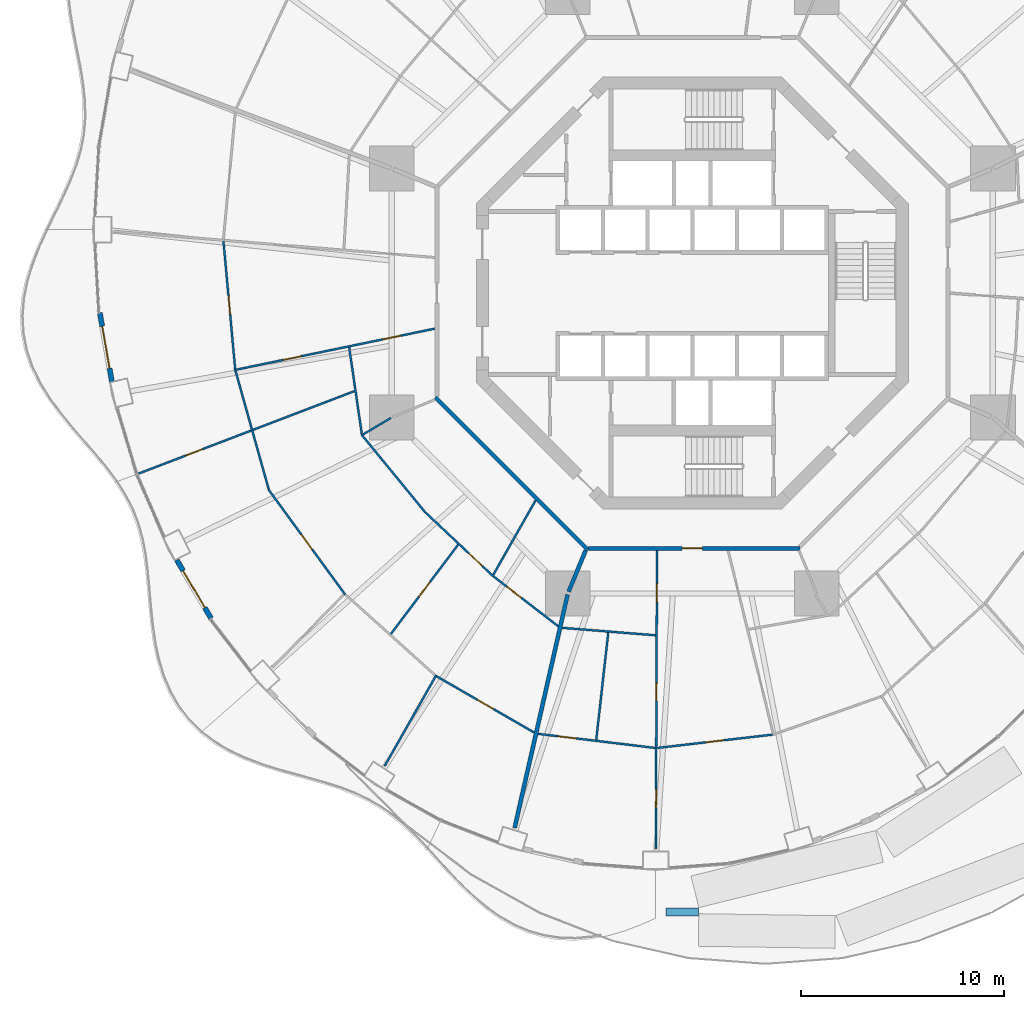
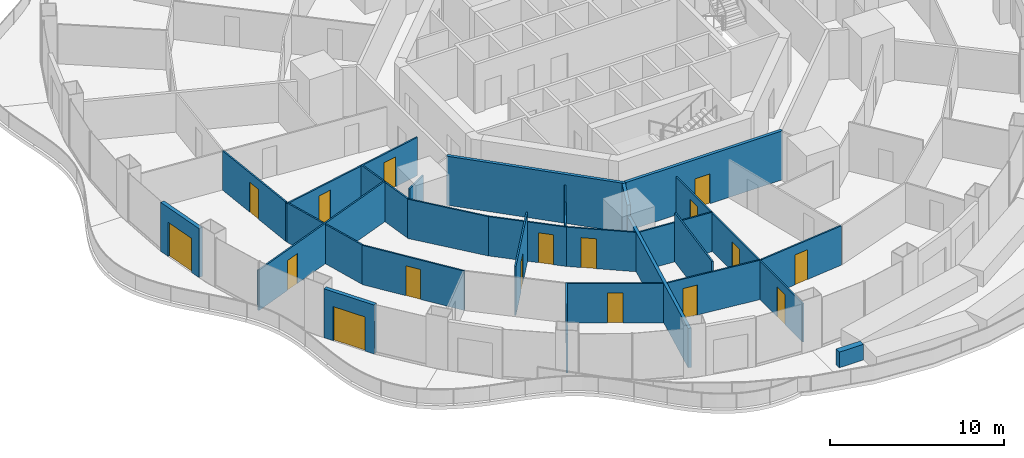
# One storey, part 14 of 22: 26 walls, 17 doors, 17 openings.
"""IFC4 building model written with IfcOpenShell, lengths in metres."""

from ifc_helpers import new_model, si_unit, direction, frame, frame_2d, origin, place, context, subcontext, project, spatial, rectangle, extrude, material, layer, layer_set, type_object, element, fill, save


model = new_model("IFC4")

# Units and contexts
model_context = context("Model", 3, precision=1e-05, world=origin(), true_north=direction((0.0, 1.0)))
body_context = subcontext(model_context, "Body", "Model", "MODEL_VIEW")
ifc_project = project(units=[si_unit("LENGTHUNIT", "METRE"), si_unit("AREAUNIT", "SQUARE_METRE"), si_unit("VOLUMEUNIT", "CUBIC_METRE"), si_unit("PLANEANGLEUNIT", "RADIAN"), si_unit("MASSUNIT", "GRAM", prefix="KILO")], contexts=[model_context])

# Site, building, storey
site_placement = place(None, origin())
site = spatial("IfcSite", under=ifc_project, at=site_placement, CompositionType="ELEMENT")
building_placement = place(site_placement, origin())
building = spatial("IfcBuilding", under=site, at=building_placement, Name="Nagisa Residences", CompositionType="ELEMENT")
storey_placement = place(building_placement, frame((0.0, 0.0, 73.300048828125)))
storey = spatial("IfcBuildingStorey", under=building, at=storey_placement, Name="L17", CompositionType="ELEMENT", Elevation=73.300048828125)

# Walls
ifc_material_1 = material(Name="Gypsum board on steel studs", Category="steel")
ifc_layer_1 = layer(ifc_material_1, 0.199951171875)
ifc_layer_set_1 = layer_set([ifc_layer_1], Name="Apartment compartment wall EI60 200")
wall_type_1 = type_object("IfcWallType", Name="Apartment compartment wall EI60 200", PredefinedType="PARTITIONING", material=ifc_layer_set_1)
wall_1_placement = place(storey_placement, frame((-5.24267578125, -12.6572265625, 0.0), z_axis=(0.0, 0.0, 1.0), x_axis=(-0.382668627144, -0.923885664896, 0.0)))
element("IfcWall", 1, at=wall_1_placement, inside=storey, type_object=wall_type_1, Name="wall:L17:u04", PredefinedType="PARTITIONING", context=body_context, shape_type="SweptSolid", body=[
    extrude(rectangle(XDim=2.200439453125, YDim=0.199951171875, at=frame_2d((1.10009765625, 0.0))), origin(), (0.0, 0.0, 1.0), 3.43994140625),
])
wall_2_placement = place(storey_placement, frame((-6.134033203125, -14.830810546875, 0.0), z_axis=(0.0, 0.0, 1.0), x_axis=(-0.221225405869, -0.975222702667, 0.0)))
element("IfcWall", 2, at=wall_2_placement, inside=storey, type_object=wall_type_1, Name="wall:L17:u05", PredefinedType="PARTITIONING", context=body_context, shape_type="SweptSolid", body=[
    extrude(rectangle(XDim=11.760986328125, YDim=0.199951171875, at=frame_2d((5.88037109375, 0.0))), origin(), (0.0, 0.0, 1.0), 2.761962890625),
])
ifc_material_2 = material(Name="Gypsum board on steel studs", Category="steel")
ifc_layer_2 = layer(ifc_material_2, 0.199951171875)
ifc_layer_set_2 = layer_set([ifc_layer_2], Name="Apartment entry wall EI60 200")
wall_type_2 = type_object("IfcWallType", Name="Apartment entry wall EI60 200", PredefinedType="PARTITIONING", material=ifc_layer_set_2)
wall_3_placement = place(storey_placement, frame((-12.635498046875, -5.1337890625, 0.0), z_axis=(0.0, 0.0, 1.0), x_axis=(0.707106781187, -0.707106781187, 0.0)))
element("IfcWall", 3, at=wall_3_placement, inside=storey, type_object=wall_type_2, Name="wall:L17:u13", PredefinedType="PARTITIONING", context=body_context, shape_type="SweptSolid", body=[
    extrude(rectangle(XDim=10.609130859375, YDim=0.199951171875, at=frame_2d((5.3046875, 0.0))), origin(), (0.0, 0.0, 1.0), 3.43994140625),
])

# Wall, opening, door
wall_4_placement = place(storey_placement, frame((-5.1044921875, -12.564697265625, 0.0), z_axis=(0.0, 0.0, 1.0), x_axis=(1.0, 0.0, 0.0)))
wall_4 = element("IfcWall", 4, at=wall_4_placement, inside=storey, type_object=wall_type_2, Name="wall:L17:u14", PredefinedType="PARTITIONING", context=body_context, shape_type="SweptSolid", body=[
    extrude(rectangle(XDim=10.408935546875, YDim=0.199951171875, at=frame_2d((5.20458984375, 0.0))), origin(), (0.0, 0.0, 1.0), 3.43994140625),
])
opening_1_placement = place(wall_4_placement, frame((4.6044921875, 0.0, 0.0)))
opening_1 = element("IfcOpeningElement", 5, at=opening_1_placement, cuts=wall_4, Name="Opening L17-U36", PredefinedType="OPENING", context=body_context, shape_type="SweptSolid", body=[
    extrude(rectangle(XDim=1.0, YDim=2.10009765625, at=frame_2d((0.5, 1.050048828125))), frame((0.0, 0.10986328125, 0.0), z_axis=(0.0, -1.0, 0.0), x_axis=(1.0, 0.0, 0.0)), (0.0, 0.0, 1.0), 0.219970703125),
])
ifc_material_3 = material(Name="Timber fire door set", Category="wood")
door_type_1 = type_object("IfcDoorType", Name="Apartment entry door FD30S 1000x2100", OperationType="NOTDEFINED", PredefinedType="DOOR", material=ifc_material_3)
door_1_placement = place(opening_1_placement, frame((1.0, 0.0, 0.0), x_axis=(-1.0, 0.0, 0.0)))
door_1 = element("IfcDoor", 6, at=door_1_placement, inside=storey, type_object=door_type_1, Name="Entry door, Apartment 17C", OperationType="SINGLE_SWING_LEFT", OverallHeight=2.10009765625, OverallWidth=1.0, PredefinedType="DOOR", context=body_context, shape_type="SweptSolid", body=[
    extrude(rectangle(XDim=1.0, YDim=2.10009765625, at=frame_2d((0.5, 1.050048828125))), frame((0.0, 0.02490234375, 0.0), z_axis=(0.0, -1.0, 0.0), x_axis=(1.0, 0.0, 0.0)), (0.0, 0.0, 1.0), 0.050048828125),
])
fill(opening_1, door_1)

ifc_material_4 = material(Name="Gypsum board on steel studs", Category="steel")
ifc_layer_3 = layer(ifc_material_4, 0.10009765625)
ifc_layer_set_3 = layer_set([ifc_layer_3], Name="Apartment partition 100")
wall_type_3 = type_object("IfcWallType", Name="Apartment partition 100", PredefinedType="PARTITIONING", material=ifc_layer_set_3)
wall_5_placement = place(storey_placement, frame((-23.056884765625, 2.54248046875, 0.0), z_axis=(0.0, 0.0, 1.0), x_axis=(0.091380945427, -0.995816008514, 0.0)))
wall_5 = element("IfcWall", 7, at=wall_5_placement, inside=storey, type_object=wall_type_3, Name="wall:L17:u56", PredefinedType="PARTITIONING", context=body_context, shape_type="SweptSolid", body=[
    extrude(rectangle(XDim=6.302490234375, YDim=0.10009765625, at=frame_2d((3.1513671875, 0.0))), origin(), (0.0, 0.0, 1.0), 2.761962890625),
])
opening_2_placement = place(wall_5_placement, frame((2.701171875, 0.0, 0.0)))
opening_2 = element("IfcOpeningElement", 8, at=opening_2_placement, cuts=wall_5, Name="Opening L17-U28", PredefinedType="OPENING", context=body_context, shape_type="SweptSolid", body=[
    extrude(rectangle(XDim=0.89990234375, YDim=2.10009765625, at=frame_2d((0.449951171875, 1.050048828125))), frame((0.0, 0.06005859375, 0.0), z_axis=(0.0, -1.0, 0.0), x_axis=(1.0, 0.0, 0.0)), (0.0, 0.0, 1.0), 0.1201171875),
])
ifc_material_5 = material(Name="Timber door set", Category="wood")
door_type_2 = type_object("IfcDoorType", Name="Apartment door 900x2100", OperationType="NOTDEFINED", PredefinedType="DOOR", material=ifc_material_5)
door_2_placement = place(opening_2_placement, frame((0.89990234375, 0.0, 0.0), x_axis=(-1.0, 0.0, 0.0)))
door_2 = element("IfcDoor", 9, at=door_2_placement, inside=storey, type_object=door_type_2, Name="Door to family room, Apartment 17B", OperationType="SINGLE_SWING_LEFT", OverallHeight=2.10009765625, OverallWidth=0.89990234375, PredefinedType="DOOR", context=body_context, shape_type="SweptSolid", body=[
    extrude(rectangle(XDim=0.89990234375, YDim=2.10009765625, at=frame_2d((0.449951171875, 1.050048828125))), frame((0.0, 0.02490234375, 0.0), z_axis=(0.0, -1.0, 0.0), x_axis=(1.0, 0.0, 0.0)), (0.0, 0.0, 1.0), 0.050048828125),
])
fill(opening_2, door_2)

# Wall, openings, doors
wall_6_placement = place(storey_placement, frame((-12.66259765625, -1.755126953125, 0.0), z_axis=(0.0, 0.0, 1.0), x_axis=(-0.979304677471, -0.202391572657, 0.0)))
wall_6 = element("IfcWall", 10, at=wall_6_placement, inside=storey, type_object=wall_type_3, Name="wall:L17:u57", PredefinedType="PARTITIONING", context=body_context, shape_type="SweptSolid", body=[
    extrude(rectangle(XDim=10.0712890625, YDim=0.10009765625, at=frame_2d((5.03564453125, 0.0))), origin(), (0.0, 0.0, 1.0), 2.68701171875),
])
opening_3_placement = place(wall_6_placement, frame((1.703857421875, 0.0, 0.0)))
opening_3 = element("IfcOpeningElement", 11, at=opening_3_placement, cuts=wall_6, Name="Opening L17-U24", PredefinedType="OPENING", context=body_context, shape_type="SweptSolid", body=[
    extrude(rectangle(XDim=0.89990234375, YDim=2.10009765625, at=frame_2d((0.449951171875, 1.050048828125))), frame((0.0, 0.06005859375, 0.0), z_axis=(0.0, -1.0, 0.0), x_axis=(1.0, 0.0, 0.0)), (0.0, 0.0, 1.0), 0.1201171875),
])
opening_4_placement = place(wall_6_placement, frame((6.71435546875, 0.0, 0.0)))
opening_4 = element("IfcOpeningElement", 12, at=opening_4_placement, cuts=wall_6, Name="Opening L17-U26", PredefinedType="OPENING", context=body_context, shape_type="SweptSolid", body=[
    extrude(rectangle(XDim=0.89990234375, YDim=2.10009765625, at=frame_2d((0.449951171875, 1.050048828125))), frame((0.0, 0.06005859375, 0.0), z_axis=(0.0, -1.0, 0.0), x_axis=(1.0, 0.0, 0.0)), (0.0, 0.0, 1.0), 0.1201171875),
])
door_3_placement = place(opening_3_placement, origin())
door_3 = element("IfcDoor", 13, at=door_3_placement, inside=storey, type_object=door_type_2, Name="Door to family bathroom, Apartment 17B", OperationType="SINGLE_SWING_RIGHT", OverallHeight=2.10009765625, OverallWidth=0.89990234375, PredefinedType="DOOR", context=body_context, shape_type="SweptSolid", body=[
    extrude(rectangle(XDim=0.89990234375, YDim=2.10009765625, at=frame_2d((0.449951171875, 1.050048828125))), frame((0.0, 0.02490234375, 0.0), z_axis=(0.0, -1.0, 0.0), x_axis=(1.0, 0.0, 0.0)), (0.0, 0.0, 1.0), 0.050048828125),
])
fill(opening_3, door_3)
door_4_placement = place(opening_4_placement, origin())
door_4 = element("IfcDoor", 14, at=door_4_placement, inside=storey, type_object=door_type_2, Name="Door to family bathroom, Apartment 17B", OperationType="SINGLE_SWING_RIGHT", OverallHeight=2.10009765625, OverallWidth=0.89990234375, PredefinedType="DOOR", context=body_context, shape_type="SweptSolid", body=[
    extrude(rectangle(XDim=0.89990234375, YDim=2.10009765625, at=frame_2d((0.449951171875, 1.050048828125))), frame((0.0, 0.02490234375, 0.0), z_axis=(0.0, -1.0, 0.0), x_axis=(1.0, 0.0, 0.0)), (0.0, 0.0, 1.0), 0.050048828125),
])
fill(opening_4, door_4)

# Walls
wall_7_placement = place(storey_placement, frame((-16.8740234375, -2.676513671875, 0.0), z_axis=(0.0, 0.0, 1.0), x_axis=(0.144260658133, -0.989539722555, 0.0)))
element("IfcWall", 15, at=wall_7_placement, inside=storey, type_object=wall_type_3, Name="wall:L17:u58", PredefinedType="PARTITIONING", context=body_context, shape_type="SweptSolid", body=[
    extrude(rectangle(XDim=4.308837890625, YDim=0.10009765625, at=frame_2d((2.154296875, 0.0))), origin(), (0.0, 0.0, 1.0), 2.761962890625),
])
wall_8_placement = place(storey_placement, frame((-22.462890625, -3.83154296875, 0.0), z_axis=(0.0, 0.0, 1.0), x_axis=(0.269797759333, -0.962917010473, 0.0)))
element("IfcWall", 16, at=wall_8_placement, inside=storey, type_object=wall_type_3, Name="wall:L17:u59", PredefinedType="PARTITIONING", context=body_context, shape_type="SweptSolid", body=[
    extrude(rectangle(XDim=6.04296875, YDim=0.10009765625, at=frame_2d((3.021484375, 0.0))), origin(), (0.0, 0.0, 1.0), 2.761962890625),
])

# Wall, opening, door
wall_9_placement = place(storey_placement, frame((-16.60986328125, -4.826171875, 0.0), z_axis=(0.0, 0.0, 1.0), x_axis=(-0.934174502909, -0.356816476798, 0.0)))
wall_9 = element("IfcWall", 17, at=wall_9_placement, inside=storey, type_object=wall_type_3, Name="wall:L17:u60", PredefinedType="PARTITIONING", context=body_context, shape_type="SweptSolid", body=[
    extrude(rectangle(XDim=11.496337890625, YDim=0.10009765625, at=frame_2d((5.748046875, 0.0))), origin(), (0.0, 0.0, 1.0), 2.8369140625),
])
opening_5_placement = place(wall_9_placement, frame((7.992919921875, 0.0, 0.0)))
opening_5 = element("IfcOpeningElement", 18, at=opening_5_placement, cuts=wall_9, Name="Opening L17-U29", PredefinedType="OPENING", context=body_context, shape_type="SweptSolid", body=[
    extrude(rectangle(XDim=0.89990234375, YDim=2.10009765625, at=frame_2d((0.449951171875, 1.050048828125))), frame((0.0, 0.06005859375, 0.0), z_axis=(0.0, -1.0, 0.0), x_axis=(1.0, 0.0, 0.0)), (0.0, 0.0, 1.0), 0.1201171875),
])
door_5_placement = place(opening_5_placement, origin())
door_5 = element("IfcDoor", 19, at=door_5_placement, inside=storey, type_object=door_type_2, Name="Door to dining room, Apartment 17B", OperationType="SINGLE_SWING_LEFT", OverallHeight=2.10009765625, OverallWidth=0.89990234375, PredefinedType="DOOR", context=body_context, shape_type="SweptSolid", body=[
    extrude(rectangle(XDim=0.89990234375, YDim=2.10009765625, at=frame_2d((0.449951171875, 1.050048828125))), frame((0.0, 0.02490234375, 0.0), z_axis=(0.0, -1.0, 0.0), x_axis=(1.0, 0.0, 0.0)), (0.0, 0.0, 1.0), 0.050048828125),
])
fill(opening_5, door_5)

# Walls
wall_10_placement = place(storey_placement, frame((-14.824951171875, -6.1484375, 0.0), z_axis=(0.0, 0.0, 1.0), x_axis=(-0.860452514841, -0.509530636669, 0.0)))
element("IfcWall", 20, at=wall_10_placement, inside=storey, type_object=wall_type_3, Name="wall:L17:u62", PredefinedType="PARTITIONING", context=body_context, shape_type="SweptSolid", body=[
    extrude(rectangle(XDim=1.600830078125, YDim=0.10009765625, at=frame_2d((0.80029296875, 0.0))), origin(), (0.0, 0.0, 1.0), 3.43994140625),
])
wall_11_placement = place(storey_placement, frame((-16.277099609375, -6.950927734375, 0.0), z_axis=(0.0, 0.0, 1.0), x_axis=(0.633427340372, -0.773802173988, 0.0)))
element("IfcWall", 21, at=wall_11_placement, inside=storey, type_object=wall_type_3, Name="wall:L17:u63", PredefinedType="PARTITIONING", context=body_context, shape_type="SweptSolid", body=[
    extrude(rectangle(XDim=4.979248046875, YDim=0.10009765625, at=frame_2d((2.48974609375, 0.0))), origin(), (0.0, 0.0, 1.0), 2.761962890625),
])

# Wall, opening, door
wall_12_placement = place(storey_placement, frame((-20.848388671875, -9.658203125, 0.0), z_axis=(0.0, 0.0, 1.0), x_axis=(0.5895799361, -0.807710033953, 0.0)))
wall_12 = element("IfcWall", 22, at=wall_12_placement, inside=storey, type_object=wall_type_3, Name="wall:L17:u64", PredefinedType="PARTITIONING", context=body_context, shape_type="SweptSolid", body=[
    extrude(rectangle(XDim=6.40771484375, YDim=0.10009765625, at=frame_2d((3.203857421875, 0.0))), origin(), (0.0, 0.0, 1.0), 2.761962890625),
])
opening_6_placement = place(wall_12_placement, frame((2.75390625, 0.0, 0.0)))
opening_6 = element("IfcOpeningElement", 23, at=opening_6_placement, cuts=wall_12, Name="Opening L17-U31", PredefinedType="OPENING", context=body_context, shape_type="SweptSolid", body=[
    extrude(rectangle(XDim=0.89990234375, YDim=2.10009765625, at=frame_2d((0.449951171875, 1.050048828125))), frame((0.0, 0.06005859375, 0.0), z_axis=(0.0, -1.0, 0.0), x_axis=(1.0, 0.0, 0.0)), (0.0, 0.0, 1.0), 0.1201171875),
])
door_6_placement = place(opening_6_placement, origin())
door_6 = element("IfcDoor", 24, at=door_6_placement, inside=storey, type_object=door_type_2, Name="Door to dining room, Apartment 17B", OperationType="SINGLE_SWING_LEFT", OverallHeight=2.10009765625, OverallWidth=0.89990234375, PredefinedType="DOOR", context=body_context, shape_type="SweptSolid", body=[
    extrude(rectangle(XDim=0.89990234375, YDim=2.10009765625, at=frame_2d((0.449951171875, 1.050048828125))), frame((0.0, 0.02490234375, 0.0), z_axis=(0.0, -1.0, 0.0), x_axis=(1.0, 0.0, 0.0)), (0.0, 0.0, 1.0), 0.050048828125),
])
fill(opening_6, door_6)

wall_13_placement = place(storey_placement, frame((-13.118408203125, -10.799560546875, 0.0), z_axis=(0.0, 0.0, 1.0), x_axis=(0.72818280142, -0.685382964273, 0.0)))
wall_13 = element("IfcWall", 25, at=wall_13_placement, inside=storey, type_object=wall_type_3, Name="wall:L17:u65", PredefinedType="PARTITIONING", context=body_context, shape_type="SweptSolid", body=[
    extrude(rectangle(XDim=4.586181640625, YDim=0.10009765625, at=frame_2d((2.29296875, 0.0))), origin(), (0.0, 0.0, 1.0), 2.761962890625),
])
opening_7_placement = place(wall_13_placement, frame((2.939697265625, 0.0, 0.0)))
opening_7 = element("IfcOpeningElement", 26, at=opening_7_placement, cuts=wall_13, Name="Opening L17-U34", PredefinedType="OPENING", context=body_context, shape_type="SweptSolid", body=[
    extrude(rectangle(XDim=0.89990234375, YDim=2.10009765625, at=frame_2d((0.449951171875, 1.050048828125))), frame((0.0, 0.06005859375, 0.0), z_axis=(0.0, -1.0, 0.0), x_axis=(1.0, 0.0, 0.0)), (0.0, 0.0, 1.0), 0.1201171875),
])
door_7_placement = place(opening_7_placement, origin())
door_7 = element("IfcDoor", 27, at=door_7_placement, inside=storey, type_object=door_type_2, Name="Door to store, Apartment 17B", OperationType="SINGLE_SWING_RIGHT", OverallHeight=2.10009765625, OverallWidth=0.89990234375, PredefinedType="DOOR", context=body_context, shape_type="SweptSolid", body=[
    extrude(rectangle(XDim=0.89990234375, YDim=2.10009765625, at=frame_2d((0.449951171875, 1.050048828125))), frame((0.0, 0.02490234375, 0.0), z_axis=(0.0, -1.0, 0.0), x_axis=(1.0, 0.0, 0.0)), (0.0, 0.0, 1.0), 0.050048828125),
])
fill(opening_7, door_7)

wall_14_placement = place(storey_placement, frame((-11.51513671875, -12.376953125, 0.0), z_axis=(0.0, 0.0, 1.0), x_axis=(-0.60163860397, -0.798768420891, 0.0)))
wall_14 = element("IfcWall", 28, at=wall_14_placement, inside=storey, type_object=wall_type_3, Name="wall:L17:u68", PredefinedType="PARTITIONING", context=body_context, shape_type="SweptSolid", body=[
    extrude(rectangle(XDim=5.50244140625, YDim=0.10009765625, at=frame_2d((2.751220703125, 0.0))), origin(), (0.0, 0.0, 1.0), 3.43994140625),
])
opening_8_placement = place(wall_14_placement, frame((2.30126953125, 0.0, 0.0)))
opening_8 = element("IfcOpeningElement", 29, at=opening_8_placement, cuts=wall_14, Name="Opening L17-U32", PredefinedType="OPENING", context=body_context, shape_type="SweptSolid", body=[
    extrude(rectangle(XDim=0.89990234375, YDim=2.10009765625, at=frame_2d((0.449951171875, 1.050048828125))), frame((0.0, 0.06005859375, 0.0), z_axis=(0.0, -1.0, 0.0), x_axis=(1.0, 0.0, 0.0)), (0.0, 0.0, 1.0), 0.1201171875),
])
door_8_placement = place(opening_8_placement, origin())
door_8 = element("IfcDoor", 30, at=door_8_placement, inside=storey, type_object=door_type_2, Name="Door to kitchen, Apartment 17B", OperationType="SINGLE_SWING_RIGHT", OverallHeight=2.10009765625, OverallWidth=0.89990234375, PredefinedType="DOOR", context=body_context, shape_type="SweptSolid", body=[
    extrude(rectangle(XDim=0.89990234375, YDim=2.10009765625, at=frame_2d((0.449951171875, 1.050048828125))), frame((0.0, 0.02490234375, 0.0), z_axis=(0.0, -1.0, 0.0), x_axis=(1.0, 0.0, 0.0)), (0.0, 0.0, 1.0), 0.050048828125),
])
fill(opening_8, door_8)

# Wall
wall_15_placement = place(storey_placement, frame((-7.707275390625, -10.1982421875, 0.0), z_axis=(0.0, 0.0, 1.0), x_axis=(-0.493986531217, -0.869469554945, 0.0)))
element("IfcWall", 31, at=wall_15_placement, inside=storey, type_object=wall_type_3, Name="wall:L17:u69", PredefinedType="PARTITIONING", context=body_context, shape_type="SweptSolid", body=[
    extrude(rectangle(XDim=4.21728515625, YDim=0.10009765625, at=frame_2d((2.108642578125, 0.0))), origin(), (0.0, 0.0, 1.0), 2.68701171875),
])

# Wall, opening, door
wall_16_placement = place(storey_placement, frame((-9.775390625, -13.93896484375, 0.0), z_axis=(0.0, 0.0, 1.0), x_axis=(0.792162117554, -0.610310723741, 0.0)))
wall_16 = element("IfcWall", 32, at=wall_16_placement, inside=storey, type_object=wall_type_3, Name="wall:L17:u70", PredefinedType="PARTITIONING", context=body_context, shape_type="SweptSolid", body=[
    extrude(rectangle(XDim=4.0302734375, YDim=0.10009765625, at=frame_2d((2.01513671875, 0.0))), origin(), (0.0, 0.0, 1.0), 2.761962890625),
])
opening_9_placement = place(wall_16_placement, frame((0.836181640625, 0.0, 0.0)))
opening_9 = element("IfcOpeningElement", 33, at=opening_9_placement, cuts=wall_16, Name="Opening L17-U35", PredefinedType="OPENING", context=body_context, shape_type="SweptSolid", body=[
    extrude(rectangle(XDim=0.89990234375, YDim=2.10009765625, at=frame_2d((0.449951171875, 1.050048828125))), frame((0.0, 0.06005859375, 0.0), z_axis=(0.0, -1.0, 0.0), x_axis=(1.0, 0.0, 0.0)), (0.0, 0.0, 1.0), 0.1201171875),
])
door_9_placement = place(opening_9_placement, origin())
door_9 = element("IfcDoor", 34, at=door_9_placement, inside=storey, type_object=door_type_2, Name="Door to laundry, Apartment 17B", OperationType="SINGLE_SWING_LEFT", OverallHeight=2.10009765625, OverallWidth=0.89990234375, PredefinedType="DOOR", context=body_context, shape_type="SweptSolid", body=[
    extrude(rectangle(XDim=0.89990234375, YDim=2.10009765625, at=frame_2d((0.449951171875, 1.050048828125))), frame((0.0, 0.02490234375, 0.0), z_axis=(0.0, -1.0, 0.0), x_axis=(1.0, 0.0, 0.0)), (0.0, 0.0, 1.0), 0.050048828125),
])
fill(opening_9, door_9)

# Wall
wall_17_placement = place(storey_placement, frame((-12.586669921875, -18.787353515625, 0.0), z_axis=(0.0, 0.0, 1.0), x_axis=(-0.493966211317, -0.869481099321, 0.0)))
element("IfcWall", 35, at=wall_17_placement, inside=storey, type_object=wall_type_3, Name="wall:L17:u71", PredefinedType="PARTITIONING", context=body_context, shape_type="SweptSolid", body=[
    extrude(rectangle(XDim=5.146484375, YDim=0.10009765625, at=frame_2d((2.5732421875, 0.0))), origin(), (0.0, 0.0, 1.0), 2.761962890625),
])

# Wall, opening, door
wall_18_placement = place(storey_placement, frame((-12.568115234375, -18.855712890625, 0.0), z_axis=(0.0, 0.0, 1.0), x_axis=(0.866533437451, -0.499119025664, 0.0)))
wall_18 = element("IfcWall", 36, at=wall_18_placement, inside=storey, type_object=wall_type_3, Name="wall:L17:u72", PredefinedType="PARTITIONING", context=body_context, shape_type="SweptSolid", body=[
    extrude(rectangle(XDim=5.53515625, YDim=0.10009765625, at=frame_2d((2.767578125, 0.0))), origin(), (0.0, 0.0, 1.0), 2.761962890625),
])
opening_10_placement = place(wall_18_placement, frame((2.3173828125, 0.0, 0.0)))
opening_10 = element("IfcOpeningElement", 37, at=opening_10_placement, cuts=wall_18, Name="Opening L17-U33", PredefinedType="OPENING", context=body_context, shape_type="SweptSolid", body=[
    extrude(rectangle(XDim=0.89990234375, YDim=2.10009765625, at=frame_2d((0.449951171875, 1.050048828125))), frame((0.0, 0.06005859375, 0.0), z_axis=(0.0, -1.0, 0.0), x_axis=(1.0, 0.0, 0.0)), (0.0, 0.0, 1.0), 0.1201171875),
])
door_10_placement = place(opening_10_placement, frame((0.89990234375, 0.0, 0.0), x_axis=(-1.0, 0.0, 0.0)))
door_10 = element("IfcDoor", 38, at=door_10_placement, inside=storey, type_object=door_type_2, Name="Door to bedroom, Apartment 17B", OperationType="SINGLE_SWING_RIGHT", OverallHeight=2.10009765625, OverallWidth=0.89990234375, PredefinedType="DOOR", context=body_context, shape_type="SweptSolid", body=[
    extrude(rectangle(XDim=0.89990234375, YDim=2.10009765625, at=frame_2d((0.449951171875, 1.050048828125))), frame((0.0, 0.02490234375, 0.0), z_axis=(0.0, -1.0, 0.0), x_axis=(1.0, 0.0, 0.0)), (0.0, 0.0, 1.0), 0.050048828125),
])
fill(opening_10, door_10)

# Wall
wall_19_placement = place(storey_placement, frame((-6.40380859375, -16.467529296875, 0.0), z_axis=(0.0, 0.0, 1.0), x_axis=(0.996818808981, -0.079701079432, 0.0)))
element("IfcWall", 39, at=wall_19_placement, inside=storey, type_object=wall_type_3, Name="wall:L17:u73", PredefinedType="PARTITIONING", context=body_context, shape_type="SweptSolid", body=[
    extrude(rectangle(XDim=4.6162109375, YDim=0.10009765625, at=frame_2d((2.30810546875, 0.0))), origin(), (0.0, 0.0, 1.0), 2.761962890625),
])

# Wall, opening, door
wall_20_placement = place(storey_placement, frame((-7.5859375, -21.680419921875, 0.0), z_axis=(0.0, 0.0, 1.0), x_axis=(0.992810189026, -0.119699325668, 0.0)))
wall_20 = element("IfcWall", 40, at=wall_20_placement, inside=storey, type_object=wall_type_3, Name="wall:L17:u74", PredefinedType="PARTITIONING", context=body_context, shape_type="SweptSolid", body=[
    extrude(rectangle(XDim=5.802734375, YDim=0.10009765625, at=frame_2d((2.9013671875, 0.0))), origin(), (0.0, 0.0, 1.0), 2.761962890625),
])
opening_11_placement = place(wall_20_placement, frame((0.98828125, 0.0, 0.0)))
opening_11 = element("IfcOpeningElement", 41, at=opening_11_placement, cuts=wall_20, Name="Opening L17-U47", PredefinedType="OPENING", context=body_context, shape_type="SweptSolid", body=[
    extrude(rectangle(XDim=0.89990234375, YDim=2.10009765625, at=frame_2d((0.449951171875, 1.050048828125))), frame((0.0, 0.06005859375, 0.0), z_axis=(0.0, -1.0, 0.0), x_axis=(1.0, 0.0, 0.0)), (0.0, 0.0, 1.0), 0.1201171875),
])
door_11_placement = place(opening_11_placement, origin())
door_11 = element("IfcDoor", 42, at=door_11_placement, inside=storey, type_object=door_type_2, Name="Door to en-suite bathroom, Apartment 17C", OperationType="SINGLE_SWING_LEFT", OverallHeight=2.10009765625, OverallWidth=0.89990234375, PredefinedType="DOOR", context=body_context, shape_type="SweptSolid", body=[
    extrude(rectangle(XDim=0.89990234375, YDim=2.10009765625, at=frame_2d((0.449951171875, 1.050048828125))), frame((0.0, 0.02490234375, 0.0), z_axis=(0.0, -1.0, 0.0), x_axis=(1.0, 0.0, 0.0)), (0.0, 0.0, 1.0), 0.050048828125),
])
fill(opening_11, door_11)

# Wall
wall_21_placement = place(storey_placement, frame((-4.133544921875, -16.69921875, 0.0), z_axis=(0.0, 0.0, 1.0), x_axis=(-0.111340048649, -0.993782367305, 0.0)))
element("IfcWall", 43, at=wall_21_placement, inside=storey, type_object=wall_type_3, Name="wall:L17:u75", PredefinedType="PARTITIONING", context=body_context, shape_type="SweptSolid", body=[
    extrude(rectangle(XDim=5.30859375, YDim=0.10009765625, at=frame_2d((2.654296875, 0.0))), origin(), (0.0, 0.0, 1.0), 3.43994140625),
])

# Wall, openings, doors
wall_22_placement = place(storey_placement, frame((-1.7353515625, -12.664794921875, 0.0), z_axis=(0.0, 0.0, 1.0), x_axis=(-0.004107048833, -0.999991566039, 0.0)))
wall_22 = element("IfcWall", 44, at=wall_22_placement, inside=storey, type_object=wall_type_3, Name="wall:L17:u76", PredefinedType="PARTITIONING", context=body_context, shape_type="SweptSolid", body=[
    extrude(rectangle(XDim=14.682861328125, YDim=0.10009765625, at=frame_2d((7.34130859375, 0.0))), origin(), (0.0, 0.0, 1.0), 2.68701171875),
])
opening_12_placement = place(wall_22_placement, frame((1.637451171875, 0.0, 0.0)))
opening_12 = element("IfcOpeningElement", 45, at=opening_12_placement, cuts=wall_22, Name="Opening L17-U37", PredefinedType="OPENING", context=body_context, shape_type="SweptSolid", body=[
    extrude(rectangle(XDim=0.89990234375, YDim=2.10009765625, at=frame_2d((0.449951171875, 1.050048828125))), frame((0.0, 0.06005859375, 0.0), z_axis=(0.0, -1.0, 0.0), x_axis=(1.0, 0.0, 0.0)), (0.0, 0.0, 1.0), 0.1201171875),
])
opening_13_placement = place(wall_22_placement, frame((6.49560546875, 0.0, 0.0)))
opening_13 = element("IfcOpeningElement", 46, at=opening_13_placement, cuts=wall_22, Name="Opening L17-U39", PredefinedType="OPENING", context=body_context, shape_type="SweptSolid", body=[
    extrude(rectangle(XDim=0.89990234375, YDim=2.10009765625, at=frame_2d((0.449951171875, 1.050048828125))), frame((0.0, 0.06005859375, 0.0), z_axis=(0.0, -1.0, 0.0), x_axis=(1.0, 0.0, 0.0)), (0.0, 0.0, 1.0), 0.1201171875),
])
opening_14_placement = place(wall_22_placement, frame((11.74951171875, 0.0, 0.0)))
opening_14 = element("IfcOpeningElement", 47, at=opening_14_placement, cuts=wall_22, Name="Opening L17-U46", PredefinedType="OPENING", context=body_context, shape_type="SweptSolid", body=[
    extrude(rectangle(XDim=0.89990234375, YDim=2.10009765625, at=frame_2d((0.449951171875, 1.050048828125))), frame((0.0, 0.06005859375, 0.0), z_axis=(0.0, -1.0, 0.0), x_axis=(1.0, 0.0, 0.0)), (0.0, 0.0, 1.0), 0.1201171875),
])
door_12_placement = place(opening_12_placement, frame((0.89990234375, 0.0, 0.0), x_axis=(-1.0, 0.0, 0.0)))
door_12 = element("IfcDoor", 48, at=door_12_placement, inside=storey, type_object=door_type_2, Name="Door to laundry, Apartment 17C", OperationType="SINGLE_SWING_RIGHT", OverallHeight=2.10009765625, OverallWidth=0.89990234375, PredefinedType="DOOR", context=body_context, shape_type="SweptSolid", body=[
    extrude(rectangle(XDim=0.89990234375, YDim=2.10009765625, at=frame_2d((0.449951171875, 1.050048828125))), frame((0.0, 0.02490234375, 0.0), z_axis=(0.0, -1.0, 0.0), x_axis=(1.0, 0.0, 0.0)), (0.0, 0.0, 1.0), 0.050048828125),
])
fill(opening_12, door_12)
door_13_placement = place(opening_13_placement, frame((0.89990234375, 0.0, 0.0), x_axis=(-1.0, 0.0, 0.0)))
door_13 = element("IfcDoor", 49, at=door_13_placement, inside=storey, type_object=door_type_2, Name="Door to family bathroom, Apartment 17C", OperationType="SINGLE_SWING_RIGHT", OverallHeight=2.10009765625, OverallWidth=0.89990234375, PredefinedType="DOOR", context=body_context, shape_type="SweptSolid", body=[
    extrude(rectangle(XDim=0.89990234375, YDim=2.10009765625, at=frame_2d((0.449951171875, 1.050048828125))), frame((0.0, 0.02490234375, 0.0), z_axis=(0.0, -1.0, 0.0), x_axis=(1.0, 0.0, 0.0)), (0.0, 0.0, 1.0), 0.050048828125),
])
fill(opening_13, door_13)
door_14_placement = place(opening_14_placement, frame((0.89990234375, 0.0, 0.0), x_axis=(-1.0, 0.0, 0.0)))
door_14 = element("IfcDoor", 50, at=door_14_placement, inside=storey, type_object=door_type_2, Name="Door to master bedroom, Apartment 17C", OperationType="SINGLE_SWING_LEFT", OverallHeight=2.10009765625, OverallWidth=0.89990234375, PredefinedType="DOOR", context=body_context, shape_type="SweptSolid", body=[
    extrude(rectangle(XDim=0.89990234375, YDim=2.10009765625, at=frame_2d((0.449951171875, 1.050048828125))), frame((0.0, 0.02490234375, 0.0), z_axis=(0.0, -1.0, 0.0), x_axis=(1.0, 0.0, 0.0)), (0.0, 0.0, 1.0), 0.050048828125),
])
fill(opening_14, door_14)

# Wall, opening, door
wall_23_placement = place(storey_placement, frame((-1.7255859375, -22.375244140625, 0.0), z_axis=(0.0, 0.0, 1.0), x_axis=(0.99339223329, 0.114768771187, 0.0)))
wall_23 = element("IfcWall", 51, at=wall_23_placement, inside=storey, type_object=wall_type_3, Name="wall:L17:u77", PredefinedType="PARTITIONING", context=body_context, shape_type="SweptSolid", body=[
    extrude(rectangle(XDim=5.700927734375, YDim=0.10009765625, at=frame_2d((2.8505859375, 0.0))), origin(), (0.0, 0.0, 1.0), 2.761962890625),
])
opening_15_placement = place(wall_23_placement, frame((2.400390625, 0.0, 0.0)))
opening_15 = element("IfcOpeningElement", 52, at=opening_15_placement, cuts=wall_23, Name="Opening L17-U42", PredefinedType="OPENING", context=body_context, shape_type="SweptSolid", body=[
    extrude(rectangle(XDim=0.89990234375, YDim=2.10009765625, at=frame_2d((0.449951171875, 1.050048828125))), frame((0.0, 0.06005859375, 0.0), z_axis=(0.0, -1.0, 0.0), x_axis=(1.0, 0.0, 0.0)), (0.0, 0.0, 1.0), 0.1201171875),
])
door_15_placement = place(opening_15_placement, frame((0.89990234375, 0.0, 0.0), x_axis=(-1.0, 0.0, 0.0)))
door_15 = element("IfcDoor", 53, at=door_15_placement, inside=storey, type_object=door_type_2, Name="Door to living room, Apartment 17C", OperationType="SINGLE_SWING_LEFT", OverallHeight=2.10009765625, OverallWidth=0.89990234375, PredefinedType="DOOR", context=body_context, shape_type="SweptSolid", body=[
    extrude(rectangle(XDim=0.89990234375, YDim=2.10009765625, at=frame_2d((0.449951171875, 1.050048828125))), frame((0.0, 0.02490234375, 0.0), z_axis=(0.0, -1.0, 0.0), x_axis=(1.0, 0.0, 0.0)), (0.0, 0.0, 1.0), 0.050048828125),
])
fill(opening_15, door_15)

ifc_material_6 = material(Name="Precast concrete C40/50", Category="concrete")
ifc_layer_4 = layer(ifc_material_6, 0.25)
ifc_layer_set_4 = layer_set([ifc_layer_4], Name="BALCONY DOOR WALL 250")
wall_type_4 = type_object("IfcWallType", Name="BALCONY DOOR WALL 250", PredefinedType="SOLIDWALL", material=ifc_layer_set_4)
wall_24_placement = place(storey_placement, frame((-28.5400390625, -4.377197265625, 0.0), z_axis=(0.0, 0.0, 1.0), x_axis=(-0.17223289558, 0.985056257114, 0.0)))
wall_24 = element("IfcWall", 54, at=wall_24_placement, inside=storey, type_object=wall_type_4, Name="wall:L17:bay25", PredefinedType="SOLIDWALL", context=body_context, shape_type="SweptSolid", body=[
    extrude(rectangle(XDim=3.454345703125, YDim=0.25, at=frame_2d((1.72705078125, 0.0))), origin(), (0.0, 0.0, 1.0), 3.43994140625),
])
opening_16_placement = place(wall_24_placement, frame((0.67724609375, 0.0, 0.0)))
opening_16 = element("IfcOpeningElement", 55, at=opening_16_placement, cuts=wall_24, Name="Opening BD-L17-09", PredefinedType="OPENING", context=body_context, shape_type="SweptSolid", body=[
    extrude(rectangle(XDim=2.10009765625, YDim=2.39990234375, at=frame_2d((1.050048828125, 1.199951171875))), frame((0.0, 0.135009765625, 0.0), z_axis=(0.0, -1.0, 0.0), x_axis=(1.0, 0.0, 0.0)), (0.0, 0.0, 1.0), 0.27001953125),
])
ifc_material_7 = material(Name="Aluminium and clear glass", Category="aluminium")
door_type_3 = type_object("IfcDoorType", Name="BALCONY SLIDING DOOR 2100x2400", OperationType="SLIDING_TO_LEFT", PredefinedType="DOOR", material=ifc_material_7)
door_16_placement = place(opening_16_placement, origin())
door_16 = element("IfcDoor", 56, at=door_16_placement, inside=storey, type_object=door_type_3, Name="door:L17:bay25", OperationType="SLIDING_TO_LEFT", OverallHeight=2.39990234375, OverallWidth=2.10009765625, PredefinedType="DOOR", context=body_context, shape_type="SweptSolid", body=[
    extrude(rectangle(XDim=2.10009765625, YDim=2.39990234375, at=frame_2d((1.050048828125, 1.199951171875))), frame((0.0, 0.02490234375, 0.0), z_axis=(0.0, -1.0, 0.0), x_axis=(1.0, 0.0, 0.0)), (0.0, 0.0, 1.0), 0.050048828125),
])
fill(opening_16, door_16)

wall_25_placement = place(storey_placement, frame((-23.6640625, -16.004150390625, 0.0), z_axis=(0.0, 0.0, 1.0), x_axis=(-0.506352525095, 0.86232657406, 0.0)))
wall_25 = element("IfcWall", 57, at=wall_25_placement, inside=storey, type_object=wall_type_4, Name="wall:L17:bay28", PredefinedType="SOLIDWALL", context=body_context, shape_type="SweptSolid", body=[
    extrude(rectangle(XDim=3.324951171875, YDim=0.25, at=frame_2d((1.66259765625, 0.0))), origin(), (0.0, 0.0, 1.0), 3.43994140625),
])
opening_17_placement = place(wall_25_placement, frame((0.6123046875, 0.0, 0.0)))
opening_17 = element("IfcOpeningElement", 58, at=opening_17_placement, cuts=wall_25, Name="Opening BD-L17-10", PredefinedType="OPENING", context=body_context, shape_type="SweptSolid", body=[
    extrude(rectangle(XDim=2.10009765625, YDim=2.39990234375, at=frame_2d((1.050048828125, 1.199951171875))), frame((0.0, 0.135009765625, 0.0), z_axis=(0.0, -1.0, 0.0), x_axis=(1.0, 0.0, 0.0)), (0.0, 0.0, 1.0), 0.27001953125),
])
door_17_placement = place(opening_17_placement, origin())
door_17 = element("IfcDoor", 59, at=door_17_placement, inside=storey, type_object=door_type_3, Name="door:L17:bay28", OperationType="SLIDING_TO_LEFT", OverallHeight=2.39990234375, OverallWidth=2.10009765625, PredefinedType="DOOR", context=body_context, shape_type="SweptSolid", body=[
    extrude(rectangle(XDim=2.10009765625, YDim=2.39990234375, at=frame_2d((1.050048828125, 1.199951171875))), frame((0.0, 0.02490234375, 0.0), z_axis=(0.0, -1.0, 0.0), x_axis=(1.0, 0.0, 0.0)), (0.0, 0.0, 1.0), 0.050048828125),
])
fill(opening_17, door_17)

# Wall
ifc_material_8 = material(Name="Precast concrete C30/37", Category="concrete")
ifc_layer_5 = layer(ifc_material_8, 1.60009765625)
ifc_layer_set_5 = layer_set([ifc_layer_5], Name="PLANTER")
wall_type_5 = type_object("IfcWallType", Name="PLANTER", PredefinedType="SOLIDWALL", material=ifc_layer_set_5)
wall_26_placement = place(storey_placement, frame((-0.5, -30.629638671875, 0.0), z_axis=(0.0, 0.0, 1.0), x_axis=(0.0, 1.0, 0.0)))
element("IfcWall", 60, at=wall_26_placement, inside=storey, type_object=wall_type_5, Name="planter:L17:garden001", PredefinedType="SOLIDWALL", context=body_context, shape_type="SweptSolid", body=[
    extrude(rectangle(XDim=0.378662109375, YDim=1.60009765625, at=frame_2d((0.189453125, 0.0))), origin(), (0.0, 0.0, 1.0), 1.099853515625),
])

save(model, "model.ifc")
